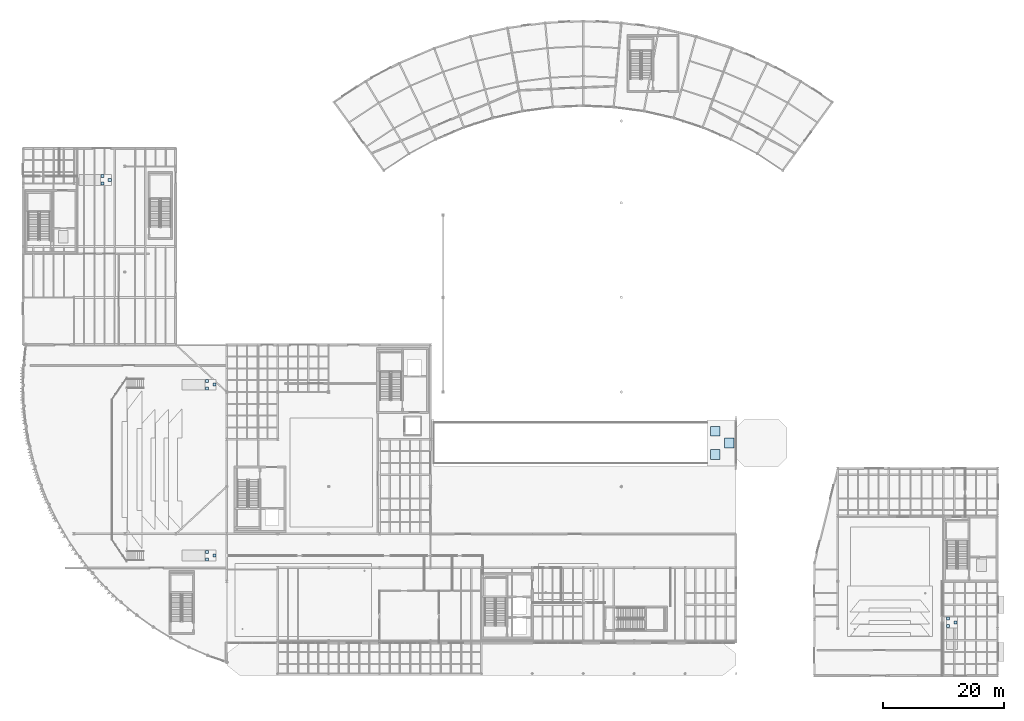
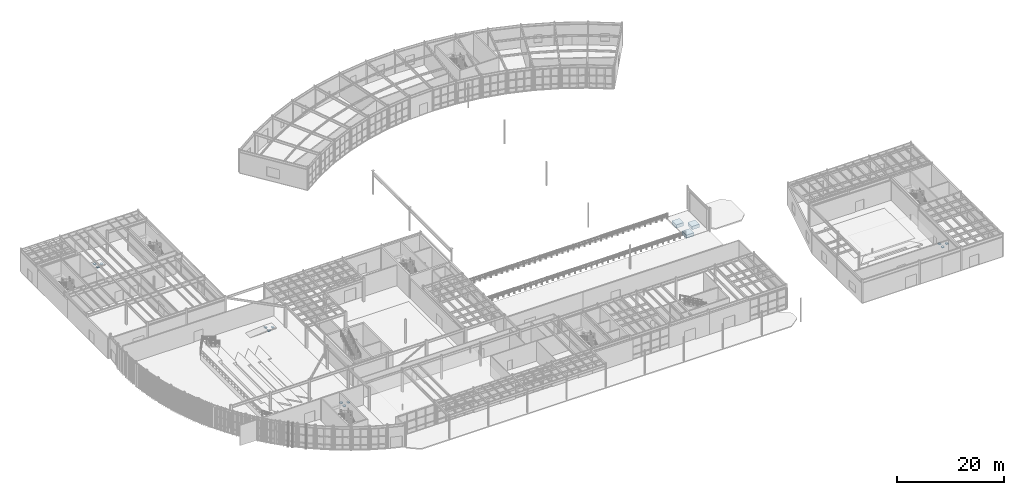
# One storey, part 1 of 87: 15 footings.
"""IFC4 building model written with IfcOpenShell, lengths in metres."""

from ifc_helpers import new_model, si_unit, direction, frame, origin, origin_2d, place, context, subcontext, project, spatial, rectangle, extrude, material, type_object, element, save


model = new_model("IFC4")

# Units and contexts
model_context = context("Model", 3, precision=1e-05, world=origin(), true_north=direction((0.0, 1.0)))
body_context = subcontext(model_context, "Body", "Model", "MODEL_VIEW")
ifc_project = project(units=[si_unit("LENGTHUNIT", "METRE"), si_unit("AREAUNIT", "SQUARE_METRE"), si_unit("VOLUMEUNIT", "CUBIC_METRE"), si_unit("PLANEANGLEUNIT", "RADIAN"), si_unit("MASSUNIT", "GRAM", prefix="KILO")], contexts=[model_context])

# Site, building, storey
site_placement = place(None, origin())
site = spatial("IfcSite", under=ifc_project, at=site_placement, CompositionType="ELEMENT")
building_placement = place(site_placement, origin())
building = spatial("IfcBuilding", under=site, at=building_placement, Name="Selat Folded Stagehouse", CompositionType="ELEMENT")
storey_placement = place(building_placement, origin())
storey = spatial("IfcBuildingStorey", under=building, at=storey_placement, Name="L00", CompositionType="ELEMENT", Elevation=0.0)

# Footings
ifc_material = material(Name="Concrete C40/50", Category="concrete")
footing_type_1 = type_object("IfcFootingType", Name="FTG-PAD-1600x1600x750", PredefinedType="PAD_FOOTING", material=ifc_material)
for number, where, z_axis, x_axis, name in (
    (1, (114.199951171875, 36.5, -1.054931640625), (0.0, 0.0, 1.0), (1.0, 0.0, 0.0), "Ramp landing pad footing VRM-TOP-1"),
    (2, (114.199951171875, 40.300048828125, -1.054931640625), (0.0, 0.0, 1.0), (1.0, 0.0, 0.0), "Ramp landing pad footing VRM-TOP-2"),
    (3, (116.5, 38.39990234375, -1.054931640625), (0.0, 0.0, 1.0), (1.0, 0.0, 0.0), "Ramp landing pad footing VRM-TOP-3"),
):
    element("IfcFooting", number, at=place(storey_placement, frame(where, z_axis=z_axis, x_axis=x_axis)), inside=storey, type_object=footing_type_1, Name=name, PredefinedType="PAD_FOOTING", context=body_context, shape_type="SweptSolid", body=[
        extrude(rectangle(XDim=1.60009765625, YDim=1.60009765625, at=origin_2d()), origin(), (0.0, 0.0, 1.0), 0.75),
    ])
footing_type_2 = type_object("IfcFootingType", Name="FTG-PAD-500x500x200", PredefinedType="PAD_FOOTING", material=ifc_material)
for number, where, z_axis, x_axis, name in (
    (4, (30.340087890625, 19.199951171875, -0.09521484375), (0.0, 0.0, 1.0), (1.0, 0.0, 0.0), "L00 ARM-01 landing pad 1"),
    (5, (30.340087890625, 20.39990234375, -0.09521484375), (0.0, 0.0, 1.0), (1.0, 0.0, 0.0), "L00 ARM-01 landing pad 2"),
    (6, (31.5400390625, 19.800048828125, -0.09521484375), (0.0, 0.0, 1.0), (1.0, 0.0, 0.0), "L00 ARM-01 landing pad 3"),
    (7, (30.340087890625, 47.39990234375, -0.09521484375), (0.0, 0.0, 1.0), (1.0, 0.0, 0.0), "L00 ARM-02 landing pad 1"),
    (8, (30.340087890625, 48.60009765625, -0.09521484375), (0.0, 0.0, 1.0), (1.0, 0.0, 0.0), "L00 ARM-02 landing pad 2"),
    (9, (31.5400390625, 48.0, -0.09521484375), (0.0, 0.0, 1.0), (1.0, 0.0, 0.0), "L00 ARM-02 landing pad 3"),
    (10, (152.60009765625, 8.199951171875, -0.11474609375), (0.0, 0.0, 1.0), (1.0, 0.0, 0.0), "L00 ARM-03 landing pad 1"),
    (11, (152.60009765625, 9.39990234375, -0.11474609375), (0.0, 0.0, 1.0), (1.0, 0.0, 0.0), "L00 ARM-03 landing pad 2"),
    (12, (153.800048828125, 8.800048828125, -0.11474609375), (0.0, 0.0, 1.0), (1.0, 0.0, 0.0), "L00 ARM-03 landing pad 3"),
    (13, (13.10009765625, 81.199951171875, -0.134765625), (0.0, 0.0, 1.0), (1.0, 0.0, 0.0), "L00 ARM-04 landing pad 1"),
    (14, (13.10009765625, 82.39990234375, -0.134765625), (0.0, 0.0, 1.0), (1.0, 0.0, 0.0), "L00 ARM-04 landing pad 2"),
    (15, (14.300048828125, 81.800048828125, -0.134765625), (0.0, 0.0, 1.0), (1.0, 0.0, 0.0), "L00 ARM-04 landing pad 3"),
):
    element("IfcFooting", number, at=place(storey_placement, frame(where, z_axis=z_axis, x_axis=x_axis)), inside=storey, type_object=footing_type_2, Name=name, PredefinedType="PAD_FOOTING", context=body_context, shape_type="SweptSolid", body=[
        extrude(rectangle(XDim=0.5, YDim=0.5, at=origin_2d()), origin(), (0.0, 0.0, 1.0), 0.199951171875),
    ])

save(model, "model.ifc")
